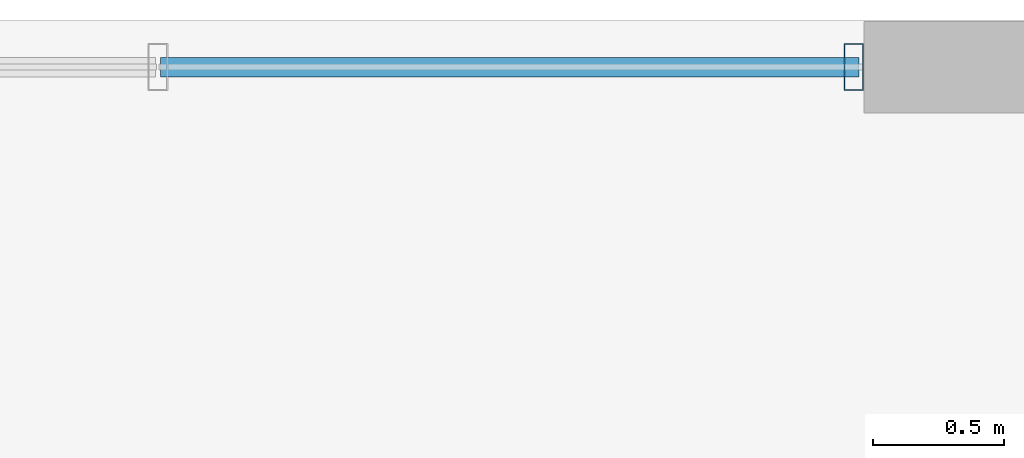
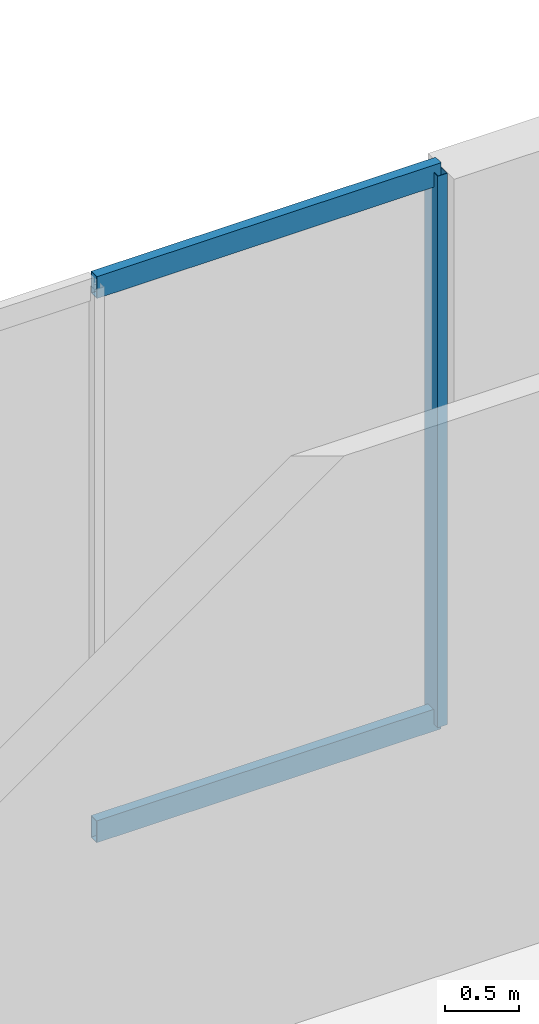
# One storey, part 9 of 16: 3 members, 1 element without a shape of its own.
"""IFC4 building model written with IfcOpenShell, lengths in metres."""

import ifcopenshell
import ifcopenshell.guid

model = None  # the IFC model being written
_history = None  # IfcOwnerHistory: only IFC2X3 demands one
_inside = {}  # id of a spatial element -> (the spatial element, [elements in it])
_under = {}  # id of a project, library or spatial element -> (it, [spatial elements below it])
_declared = {}  # id of a project -> (the project, [libraries it declares])
_typed = {}  # id of a type object -> (the type object, [elements of that type])
_made_of = {}  # id of a material, layer set ... -> (it, [elements and type objects made of it])


def new_model(schema):
    """Start an empty IFC model of exactly this schema.

    Asked for "IFC4X3", IfcOpenShell would pick the latest addendum, in which some entities
    have other attributes; the version numbers below select the first issue.
    IFC2X3 requires an IfcOwnerHistory on every rooted entity: one is made here for all.
    """
    global model, _history
    if schema == "IFC4X3":
        model = ifcopenshell.file(schema_version=(4, 3, 0, 0))
    else:
        model = ifcopenshell.file(schema=schema)
    _inside.clear()
    _under.clear()
    _declared.clear()
    _typed.clear()
    _made_of.clear()
    _history = None
    if model.schema == "IFC2X3":
        org = make("IfcOrganization", Name="unknown")
        user = make(
            "IfcPersonAndOrganization",
            ThePerson=make("IfcPerson", FamilyName="unknown"),
            TheOrganization=org,
        )
        app = make(
            "IfcApplication",
            ApplicationDeveloper=org,
            Version="unknown",
            ApplicationFullName="unknown",
            ApplicationIdentifier="unknown",
        )
        _history = make(
            "IfcOwnerHistory",
            OwningUser=user,
            OwningApplication=app,
            ChangeAction="ADDED",
            CreationDate=0,
        )
    return model


def make(cls, **values):
    """One entity of the class cls with the attributes given. An attribute that is None is left unset."""
    return model.create_entity(
        cls, **{name: value for name, value in values.items() if value is not None}
    )


def rooted(cls, **values):
    """An entity with a GlobalId (a new one), such as an element, a storey or a relation."""
    return make(cls, GlobalId=ifcopenshell.guid.new(), OwnerHistory=_history, **values)


def si_unit(unit_type, name, prefix=None):
    """IfcSIUnit, for example si_unit("LENGTHUNIT", "METRE", prefix="MILLI")."""
    return make("IfcSIUnit", UnitType=unit_type, Prefix=prefix, Name=name)


def assignment(units):
    """IfcUnitAssignment: the units of a project."""
    return None if units is None else make("IfcUnitAssignment", Units=units)


def point(xyz):
    """IfcCartesianPoint."""
    return None if xyz is None else make("IfcCartesianPoint", Coordinates=xyz)


def direction(xyz):
    """IfcDirection."""
    return None if xyz is None else make("IfcDirection", DirectionRatios=xyz)


def frame(location, z_axis=None, x_axis=None):
    """IfcAxis2Placement3D, a coordinate frame: its origin and axes. An axis left out is left unset."""
    return make(
        "IfcAxis2Placement3D",
        Location=point(location),
        Axis=direction(z_axis),
        RefDirection=direction(x_axis),
    )


def frame_2d(location, x_axis=None):
    """IfcAxis2Placement2D, a coordinate frame in the plane: its origin and x axis."""
    return make(
        "IfcAxis2Placement2D", Location=point(location), RefDirection=direction(x_axis)
    )


def origin():
    """The frame at (0, 0, 0) with its axes left unset."""
    return frame((0.0, 0.0, 0.0))


def origin_2d():
    """The frame at (0, 0) in the plane with its x axis left unset."""
    return frame_2d((0.0, 0.0))


def place(relative_to, where):
    """IfcLocalPlacement: puts the frame where relative to a parent placement (None: the world)."""
    return make(
        "IfcLocalPlacement", PlacementRelTo=relative_to, RelativePlacement=where
    )


def context(
    kind, dimensions, precision=None, world=None, true_north=None, identifier=None
):
    """IfcGeometricRepresentationContext, for example the 3D "Model" context."""
    return make(
        "IfcGeometricRepresentationContext",
        ContextIdentifier=identifier,
        ContextType=kind,
        CoordinateSpaceDimension=dimensions,
        Precision=precision,
        WorldCoordinateSystem=world,
        TrueNorth=true_north,
    )


def subcontext(parent, identifier, kind, view, scale=None):
    """IfcGeometricRepresentationSubContext, for example "Body" below "Model"."""
    return make(
        "IfcGeometricRepresentationSubContext",
        ContextIdentifier=identifier,
        ContextType=kind,
        ParentContext=parent,
        TargetScale=scale,
        TargetView=view,
    )


def project(units=None, contexts=None):
    """IfcProject with its units and contexts."""
    return rooted(
        "IfcProject",
        Name="project",
        RepresentationContexts=contexts,
        UnitsInContext=assignment(units),
    )


def spatial(cls, under=None, at=None, **own):
    """A site, building, storey or space (cls), placed at a placement, below another one or the project."""
    s = rooted(cls, ObjectPlacement=at, **own)
    if under is not None:
        _under.setdefault(under.id(), (under, []))[1].append(s)
    return s


def profile(cls, at=None, kind="AREA", **sizes):
    """A parametric profile (cls). Its sizes go by their IFC names, for example OverallWidth=200.0."""
    return make(cls, ProfileType=kind, Position=at, **sizes)


def hollow_rectangle(**sizes):
    """IfcRectangleHollowProfileDef."""
    return profile("IfcRectangleHollowProfileDef", **sizes)


def extrude(swept, where, along, depth):
    """IfcExtrudedAreaSolid: the profile swept, set in the frame where, extruded along a direction by depth."""
    return make(
        "IfcExtrudedAreaSolid",
        SweptArea=swept,
        Position=where,
        ExtrudedDirection=direction(along),
        Depth=depth,
    )


def shape(context_of_items, identifier, shape_type, items):
    """IfcShapeRepresentation: the items that make up one representation, for example the "Body"."""
    return make(
        "IfcShapeRepresentation",
        ContextOfItems=context_of_items,
        RepresentationIdentifier=identifier,
        RepresentationType=shape_type,
        Items=items,
    )


def material(Name=None, Category=None):
    """IfcMaterial."""
    return make("IfcMaterial", Name=Name, Category=Category)


def material_profile(
    of_material, cross_section, Name=None, Category=None, Priority=None
):
    """IfcMaterialProfile: a cross section and its material."""
    return make(
        "IfcMaterialProfile",
        Name=Name,
        Material=of_material,
        Profile=cross_section,
        Priority=Priority,
        Category=Category,
    )


def profile_set(profiles, Name=None, composite=None):
    """IfcMaterialProfileSet."""
    return make(
        "IfcMaterialProfileSet",
        Name=Name,
        MaterialProfiles=profiles,
        CompositeProfile=composite,
    )


def made_of(thing, what):
    """Note that an element or type object is made of a material, layer set ...; save() writes the relation."""
    if what is not None:
        _made_of.setdefault(what.id(), (what, []))[1].append(thing)
    return thing


def type_object(cls, material=None, **own):
    """A type object (cls), such as IfcWallType, which elements share."""
    return made_of(rooted(cls, **own), material)


def element(
    cls,
    number,
    at=None,
    inside=None,
    cuts=None,
    type_object=None,
    material=None,
    context=None,
    identifier="Body",
    shape_type=None,
    held_by="IfcProductDefinitionShape",
    body=None,
    shapes=None,
    **own,
):
    """One element of the class cls, such as IfcWall. Its Tag is "e" and its number.

    at: its placement. inside: the storey or other place that contains it. cuts: it is an
    opening in that element (IfcRelVoidsElement). A single representation is given by context,
    identifier, shape_type and body (its items); several are given by shapes. held_by: the class
    of the entity that holds the representations. save() writes the other relations.
    """
    e = rooted(cls, Tag="e%d" % number, ObjectPlacement=at, **own)
    if body is not None:
        shapes = [shape(context, identifier, shape_type, body)]
    if shapes is not None:
        e.Representation = make(held_by, Representations=shapes)
    if inside is not None:
        _inside.setdefault(inside.id(), (inside, []))[1].append(e)
    if cuts is not None:
        rooted(
            "IfcRelVoidsElement", RelatingBuildingElement=cuts, RelatedOpeningElement=e
        )
    if type_object is not None:
        _typed.setdefault(type_object.id(), (type_object, []))[1].append(e)
    return made_of(e, material)


def aggregate(whole, parts):
    """IfcRelAggregates: a whole, such as a stair, and the parts it consists of."""
    return rooted("IfcRelAggregates", RelatingObject=whole, RelatedObjects=parts)


def save(model, path):
    """Write the relations noted so far, then the file.

    IfcRelAggregates (storeys below a building ...), IfcRelContainedInSpatialStructure (elements
    in a storey), IfcRelDefinesByType, IfcRelAssociatesMaterial and IfcRelDeclares: one each for
    every whole, place, type object, material and project.
    """
    for whole, parts in _under.values():
        aggregate(whole, parts)
    for where, things in _inside.values():
        rooted(
            "IfcRelContainedInSpatialStructure",
            RelatedElements=things,
            RelatingStructure=where,
        )
    for kind, things in _typed.values():
        rooted("IfcRelDefinesByType", RelatedObjects=things, RelatingType=kind)
    for what, things in _made_of.values():
        rooted("IfcRelAssociatesMaterial", RelatedObjects=things, RelatingMaterial=what)
    for by, libraries in _declared.values():
        rooted("IfcRelDeclares", RelatingContext=by, RelatedDefinitions=libraries)
    model.write(path)


model = new_model("IFC4")

# Units and contexts
model_context = context("Model", 3, precision=1e-05, world=origin(), true_north=direction((0.0, 1.0)))
body_context = subcontext(model_context, "Body", "Model", "MODEL_VIEW")
ifc_project = project(units=[si_unit("LENGTHUNIT", "METRE"), si_unit("AREAUNIT", "SQUARE_METRE"), si_unit("VOLUMEUNIT", "CUBIC_METRE"), si_unit("PLANEANGLEUNIT", "RADIAN"), si_unit("MASSUNIT", "GRAM", prefix="KILO")], contexts=[model_context])

# Site, building, storey
site_placement = place(None, origin())
site = spatial("IfcSite", under=ifc_project, at=site_placement, CompositionType="ELEMENT")
building_placement = place(site_placement, origin())
building = spatial("IfcBuilding", under=site, at=building_placement, Name="Ventersveld Concourse Tower", CompositionType="ELEMENT")
storey_placement = place(building_placement, frame((0.0, 0.0, 10.199951171875)))
storey = spatial("IfcBuildingStorey", under=building, at=storey_placement, Name="L02", CompositionType="ELEMENT", Elevation=10.199951171875)

# Curtain wall, members
ifc_material = material(Name="Anodised aluminium EN AW-6063-T6", Category="aluminium")
curtain_wall_type = type_object("IfcCurtainWallType", Name="CW-POD-2", PredefinedType="NOTDEFINED", material=ifc_material)
curtain_wall_placement = place(storey_placement, origin())
curtain_wall = element("IfcCurtainWall", 1, at=curtain_wall_placement, inside=storey, type_object=curtain_wall_type, Name="L02 L02 Podium Gallery Curtain Wall 4", PredefinedType="NOTDEFINED")
ifc_material_profile_1 = material_profile(ifc_material, hollow_rectangle(XDim=0.074951171875, YDim=0.179931640625, WallThickness=0.00390625, at=origin_2d()), Name="ALU 180x75x4")
ifc_profile_set_1 = profile_set([ifc_material_profile_1], Name="Anodised aluminium EN AW-6063-T6")
member_type_1 = type_object("IfcMemberType", Name="CWM-180x75", PredefinedType="MULLION", material=ifc_profile_set_1)
member_1_placement = place(storey_placement, frame((52.760009765625, 49.52001953125, 0.0), z_axis=(0.0, 0.0, 1.0), x_axis=(1.0, 0.0, 0.0)))
member_1 = element("IfcMember", 2, at=member_1_placement, type_object=member_type_1, Name="CW-L02-N4 Mullion 04", PredefinedType="MULLION", context=body_context, shape_type="SweptSolid", body=[
    extrude(hollow_rectangle(XDim=0.074951171875, YDim=0.179931640625, WallThickness=0.00390625, at=origin_2d()), origin(), (0.0, 0.0, 1.0), 4.52001953125),
])
ifc_material_profile_2 = material_profile(ifc_material, hollow_rectangle(XDim=0.074951171875, YDim=0.179931640625, WallThickness=0.00390625, at=origin_2d()), Name="ALU 180x75x4")
ifc_profile_set_2 = profile_set([ifc_material_profile_2], Name="Anodised aluminium EN AW-6063-T6")
member_type_2 = type_object("IfcMemberType", Name="CWT-180x75", PredefinedType="USERDEFINED", material=ifc_profile_set_2)
member_2_placement = place(storey_placement, frame((50.110107421875, 49.52001953125, 0.030029296875), z_axis=(1.0, 0.0, 0.0), x_axis=(0.0, 1.0, 0.0)))
member_2 = element("IfcMember", 3, at=member_2_placement, type_object=member_type_2, Name="CW-L02-N4 Transom 1-03", ObjectType="TRANSOM", PredefinedType="USERDEFINED", context=body_context, shape_type="SweptSolid", body=[
    extrude(hollow_rectangle(XDim=0.074951171875, YDim=0.179931640625, WallThickness=0.00390625, at=origin_2d()), origin(), (0.0, 0.0, 1.0), 2.669921875),
])
member_3_placement = place(storey_placement, frame((50.110107421875, 49.52001953125, 4.489990234375), z_axis=(1.0, 0.0, 0.0), x_axis=(0.0, 1.0, 0.0)))
member_3 = element("IfcMember", 4, at=member_3_placement, type_object=member_type_2, Name="CW-L02-N4 Transom 2-03", ObjectType="TRANSOM", PredefinedType="USERDEFINED", context=body_context, shape_type="SweptSolid", body=[
    extrude(hollow_rectangle(XDim=0.074951171875, YDim=0.179931640625, WallThickness=0.00390625, at=origin_2d()), origin(), (0.0, 0.0, 1.0), 2.669921875),
])
aggregate(curtain_wall, [member_1, member_2, member_3])

save(model, "model.ifc")
